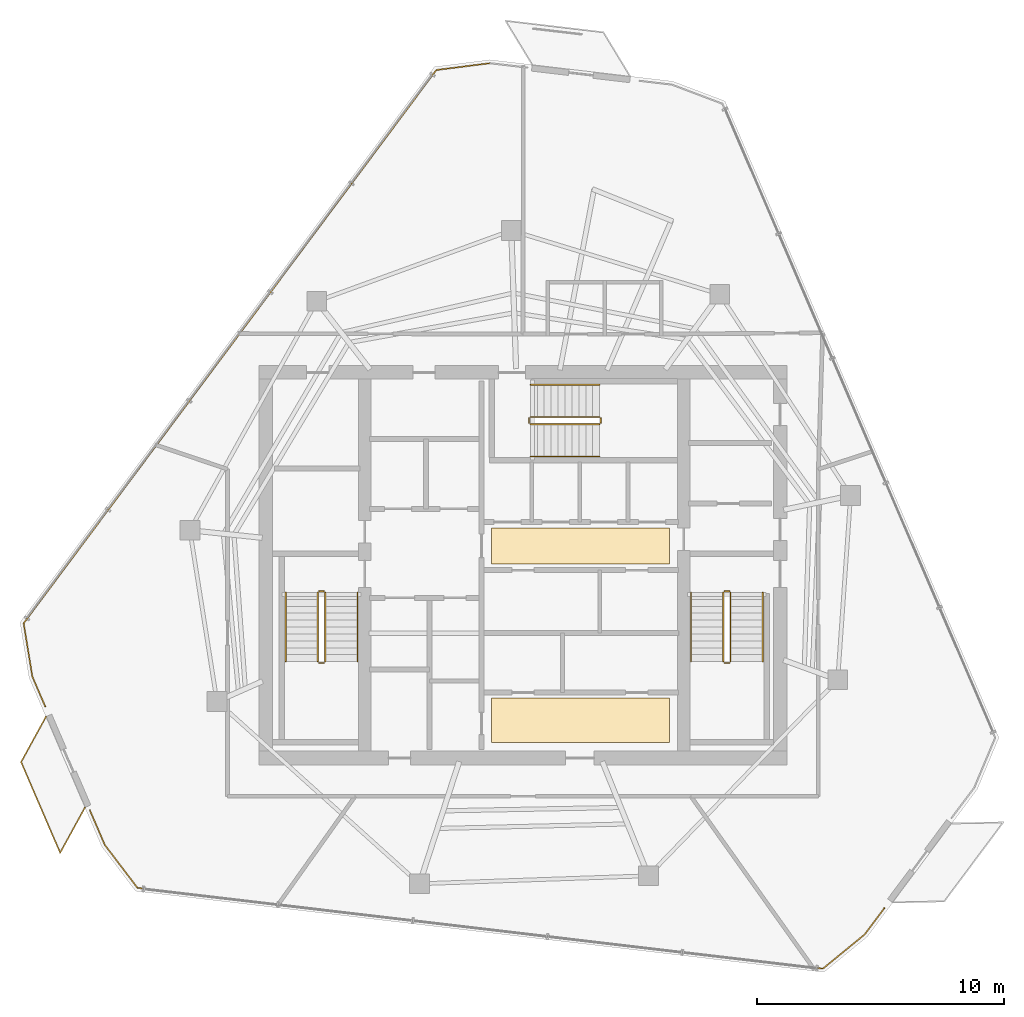
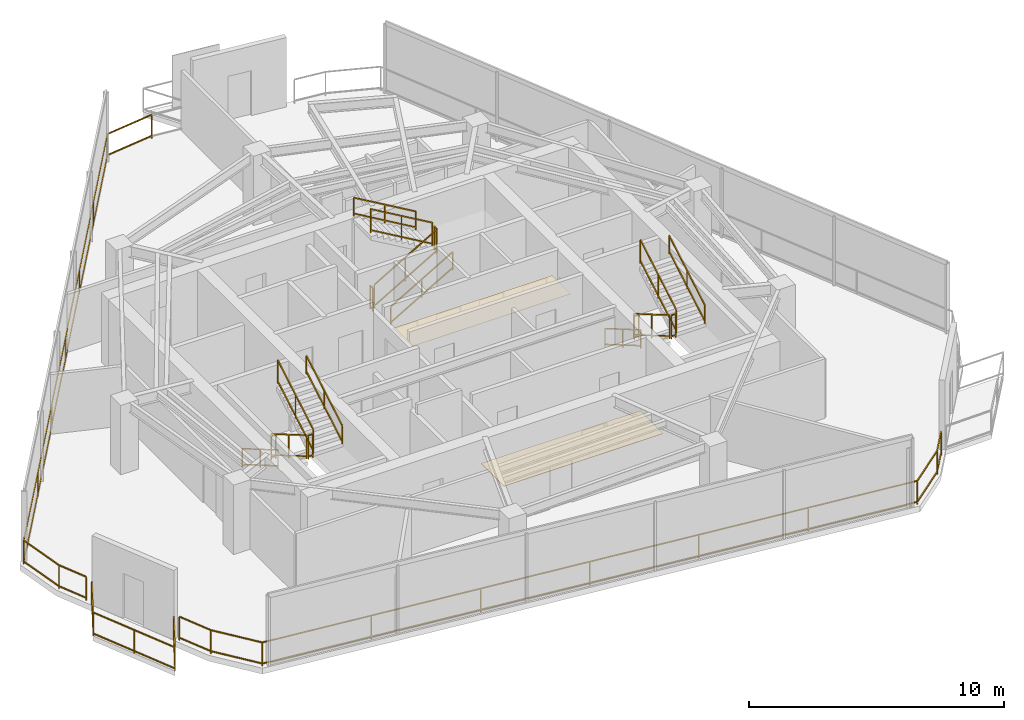
# One storey, part 17 of 18: 21 railings, 2 coverings.
"""IFC4 building model written with IfcOpenShell, lengths in metres."""

import ifcopenshell
import ifcopenshell.guid

model = None  # the IFC model being written
_history = None  # IfcOwnerHistory: only IFC2X3 demands one
_inside = {}  # id of a spatial element -> (the spatial element, [elements in it])
_under = {}  # id of a project, library or spatial element -> (it, [spatial elements below it])
_declared = {}  # id of a project -> (the project, [libraries it declares])
_typed = {}  # id of a type object -> (the type object, [elements of that type])
_made_of = {}  # id of a material, layer set ... -> (it, [elements and type objects made of it])


def new_model(schema):
    """Start an empty IFC model of exactly this schema.

    Asked for "IFC4X3", IfcOpenShell would pick the latest addendum, in which some entities
    have other attributes; the version numbers below select the first issue.
    IFC2X3 requires an IfcOwnerHistory on every rooted entity: one is made here for all.
    """
    global model, _history
    if schema == "IFC4X3":
        model = ifcopenshell.file(schema_version=(4, 3, 0, 0))
    else:
        model = ifcopenshell.file(schema=schema)
    _inside.clear()
    _under.clear()
    _declared.clear()
    _typed.clear()
    _made_of.clear()
    _history = None
    if model.schema == "IFC2X3":
        org = make("IfcOrganization", Name="unknown")
        user = make(
            "IfcPersonAndOrganization",
            ThePerson=make("IfcPerson", FamilyName="unknown"),
            TheOrganization=org,
        )
        app = make(
            "IfcApplication",
            ApplicationDeveloper=org,
            Version="unknown",
            ApplicationFullName="unknown",
            ApplicationIdentifier="unknown",
        )
        _history = make(
            "IfcOwnerHistory",
            OwningUser=user,
            OwningApplication=app,
            ChangeAction="ADDED",
            CreationDate=0,
        )
    return model


def make(cls, **values):
    """One entity of the class cls with the attributes given. An attribute that is None is left unset."""
    return model.create_entity(
        cls, **{name: value for name, value in values.items() if value is not None}
    )


def rooted(cls, **values):
    """An entity with a GlobalId (a new one), such as an element, a storey or a relation."""
    return make(cls, GlobalId=ifcopenshell.guid.new(), OwnerHistory=_history, **values)


def si_unit(unit_type, name, prefix=None):
    """IfcSIUnit, for example si_unit("LENGTHUNIT", "METRE", prefix="MILLI")."""
    return make("IfcSIUnit", UnitType=unit_type, Prefix=prefix, Name=name)


def assignment(units):
    """IfcUnitAssignment: the units of a project."""
    return None if units is None else make("IfcUnitAssignment", Units=units)


def point(xyz):
    """IfcCartesianPoint."""
    return None if xyz is None else make("IfcCartesianPoint", Coordinates=xyz)


def direction(xyz):
    """IfcDirection."""
    return None if xyz is None else make("IfcDirection", DirectionRatios=xyz)


def frame(location, z_axis=None, x_axis=None):
    """IfcAxis2Placement3D, a coordinate frame: its origin and axes. An axis left out is left unset."""
    return make(
        "IfcAxis2Placement3D",
        Location=point(location),
        Axis=direction(z_axis),
        RefDirection=direction(x_axis),
    )


def frame_2d(location, x_axis=None):
    """IfcAxis2Placement2D, a coordinate frame in the plane: its origin and x axis."""
    return make(
        "IfcAxis2Placement2D", Location=point(location), RefDirection=direction(x_axis)
    )


def origin():
    """The frame at (0, 0, 0) with its axes left unset."""
    return frame((0.0, 0.0, 0.0))


def origin_2d():
    """The frame at (0, 0) in the plane with its x axis left unset."""
    return frame_2d((0.0, 0.0))


def place(relative_to, where):
    """IfcLocalPlacement: puts the frame where relative to a parent placement (None: the world)."""
    return make(
        "IfcLocalPlacement", PlacementRelTo=relative_to, RelativePlacement=where
    )


def context(
    kind, dimensions, precision=None, world=None, true_north=None, identifier=None
):
    """IfcGeometricRepresentationContext, for example the 3D "Model" context."""
    return make(
        "IfcGeometricRepresentationContext",
        ContextIdentifier=identifier,
        ContextType=kind,
        CoordinateSpaceDimension=dimensions,
        Precision=precision,
        WorldCoordinateSystem=world,
        TrueNorth=true_north,
    )


def subcontext(parent, identifier, kind, view, scale=None):
    """IfcGeometricRepresentationSubContext, for example "Body" below "Model"."""
    return make(
        "IfcGeometricRepresentationSubContext",
        ContextIdentifier=identifier,
        ContextType=kind,
        ParentContext=parent,
        TargetScale=scale,
        TargetView=view,
    )


def project(units=None, contexts=None):
    """IfcProject with its units and contexts."""
    return rooted(
        "IfcProject",
        Name="project",
        RepresentationContexts=contexts,
        UnitsInContext=assignment(units),
    )


def spatial(cls, under=None, at=None, **own):
    """A site, building, storey or space (cls), placed at a placement, below another one or the project."""
    s = rooted(cls, ObjectPlacement=at, **own)
    if under is not None:
        _under.setdefault(under.id(), (under, []))[1].append(s)
    return s


def profile(cls, at=None, kind="AREA", **sizes):
    """A parametric profile (cls). Its sizes go by their IFC names, for example OverallWidth=200.0."""
    return make(cls, ProfileType=kind, Position=at, **sizes)


def rectangle(**sizes):
    """IfcRectangleProfileDef."""
    return profile("IfcRectangleProfileDef", **sizes)


def extrude(swept, where, along, depth):
    """IfcExtrudedAreaSolid: the profile swept, set in the frame where, extruded along a direction by depth."""
    return make(
        "IfcExtrudedAreaSolid",
        SweptArea=swept,
        Position=where,
        ExtrudedDirection=direction(along),
        Depth=depth,
    )


def shape(context_of_items, identifier, shape_type, items):
    """IfcShapeRepresentation: the items that make up one representation, for example the "Body"."""
    return make(
        "IfcShapeRepresentation",
        ContextOfItems=context_of_items,
        RepresentationIdentifier=identifier,
        RepresentationType=shape_type,
        Items=items,
    )


def material(Name=None, Category=None):
    """IfcMaterial."""
    return make("IfcMaterial", Name=Name, Category=Category)


def layer(
    of_material, thickness, ventilated=None, Name=None, Category=None, Priority=None
):
    """IfcMaterialLayer: one layer of a wall or slab, of a material (None: an air gap)."""
    return make(
        "IfcMaterialLayer",
        Material=of_material,
        LayerThickness=thickness,
        IsVentilated=ventilated,
        Name=Name,
        Category=Category,
        Priority=Priority,
    )


def layer_set(layers, Name=None):
    """IfcMaterialLayerSet."""
    return make("IfcMaterialLayerSet", MaterialLayers=layers, LayerSetName=Name)


def made_of(thing, what):
    """Note that an element or type object is made of a material, layer set ...; save() writes the relation."""
    if what is not None:
        _made_of.setdefault(what.id(), (what, []))[1].append(thing)
    return thing


def type_object(cls, material=None, **own):
    """A type object (cls), such as IfcWallType, which elements share."""
    return made_of(rooted(cls, **own), material)


def element(
    cls,
    number,
    at=None,
    inside=None,
    cuts=None,
    type_object=None,
    material=None,
    context=None,
    identifier="Body",
    shape_type=None,
    held_by="IfcProductDefinitionShape",
    body=None,
    shapes=None,
    **own,
):
    """One element of the class cls, such as IfcWall. Its Tag is "e" and its number.

    at: its placement. inside: the storey or other place that contains it. cuts: it is an
    opening in that element (IfcRelVoidsElement). A single representation is given by context,
    identifier, shape_type and body (its items); several are given by shapes. held_by: the class
    of the entity that holds the representations. save() writes the other relations.
    """
    e = rooted(cls, Tag="e%d" % number, ObjectPlacement=at, **own)
    if body is not None:
        shapes = [shape(context, identifier, shape_type, body)]
    if shapes is not None:
        e.Representation = make(held_by, Representations=shapes)
    if inside is not None:
        _inside.setdefault(inside.id(), (inside, []))[1].append(e)
    if cuts is not None:
        rooted(
            "IfcRelVoidsElement", RelatingBuildingElement=cuts, RelatedOpeningElement=e
        )
    if type_object is not None:
        _typed.setdefault(type_object.id(), (type_object, []))[1].append(e)
    return made_of(e, material)


def aggregate(whole, parts):
    """IfcRelAggregates: a whole, such as a stair, and the parts it consists of."""
    return rooted("IfcRelAggregates", RelatingObject=whole, RelatedObjects=parts)


def save(model, path):
    """Write the relations noted so far, then the file.

    IfcRelAggregates (storeys below a building ...), IfcRelContainedInSpatialStructure (elements
    in a storey), IfcRelDefinesByType, IfcRelAssociatesMaterial and IfcRelDeclares: one each for
    every whole, place, type object, material and project.
    """
    for whole, parts in _under.values():
        aggregate(whole, parts)
    for where, things in _inside.values():
        rooted(
            "IfcRelContainedInSpatialStructure",
            RelatedElements=things,
            RelatingStructure=where,
        )
    for kind, things in _typed.values():
        rooted("IfcRelDefinesByType", RelatedObjects=things, RelatingType=kind)
    for what, things in _made_of.values():
        rooted("IfcRelAssociatesMaterial", RelatedObjects=things, RelatingMaterial=what)
    for by, libraries in _declared.values():
        rooted("IfcRelDeclares", RelatingContext=by, RelatedDefinitions=libraries)
    model.write(path)


model = new_model("IFC4")

# Units and contexts
model_context = context("Model", 3, precision=1e-05, world=origin(), true_north=direction((0.0, 1.0)))
body_context = subcontext(model_context, "Body", "Model", "MODEL_VIEW")
ifc_project = project(units=[si_unit("LENGTHUNIT", "METRE"), si_unit("AREAUNIT", "SQUARE_METRE"), si_unit("VOLUMEUNIT", "CUBIC_METRE"), si_unit("PLANEANGLEUNIT", "RADIAN"), si_unit("MASSUNIT", "GRAM", prefix="KILO")], contexts=[model_context])

# Site, building, storey
site_placement = place(None, origin())
site = spatial("IfcSite", under=ifc_project, at=site_placement, CompositionType="ELEMENT")
building_placement = place(site_placement, origin())
building = spatial("IfcBuilding", under=site, at=building_placement, Name="Qarnah Convention Tower", CompositionType="ELEMENT")
storey_placement = place(building_placement, frame((0.0, 0.0, 267.89990234375)))
storey = spatial("IfcBuildingStorey", under=building, at=storey_placement, Name="L72", CompositionType="ELEMENT", Elevation=267.89990234375)

# Coverings
ifc_material_1 = material(Name="Mineral fibre acoustic ceiling")
ifc_layer_1 = layer(ifc_material_1, 0.02001953125)
ifc_layer_set_1 = layer_set([ifc_layer_1], Name="Mineral fibre acoustic ceiling")
covering_type_1 = type_object("IfcCoveringType", Name="COV-CEIL-20", PredefinedType="CEILING", material=ifc_layer_set_1)
covering_1_placement = place(storey_placement, frame((39.52001953125, 27.179931640625, 2.2900390625), z_axis=(0.0, 0.0, 1.0), x_axis=(1.0, 0.0, 0.0)))
element("IfcCovering", 1, at=covering_1_placement, inside=storey, type_object=covering_type_1, Name="L72 lift lobby acoustic ceiling", PredefinedType="CEILING", context=body_context, shape_type="SweptSolid", body=[
    extrude(rectangle(XDim=7.199951171875, YDim=1.449951171875, at=origin_2d()), origin(), (0.0, 0.0, 1.0), 0.02001953125),
])
ifc_material_2 = material(Name="Porcelain stone floor tile", Category="masonry")
ifc_layer_2 = layer(ifc_material_2, 0.02001953125)
ifc_layer_set_2 = layer_set([ifc_layer_2], Name="Porcelain stone floor tile")
covering_type_2 = type_object("IfcCoveringType", Name="COV-FLOOR-20", PredefinedType="FLOORING", material=ifc_layer_set_2)
covering_2_placement = place(storey_placement, frame((39.52001953125, 20.1201171875, 0.0), z_axis=(0.0, 0.0, 1.0), x_axis=(1.0, 0.0, 0.0)))
element("IfcCovering", 2, at=covering_2_placement, inside=storey, type_object=covering_type_2, Name="L72 lift lobby porcelain stone flooring", PredefinedType="FLOORING", context=body_context, shape_type="SweptSolid", body=[
    extrude(rectangle(XDim=7.199951171875, YDim=1.800048828125, at=origin_2d()), origin(), (0.0, 0.0, 1.0), 0.02001953125),
])

# Railings
ifc_material_3 = material(Name="Black anodised aluminium", Category="aluminium")
railing_type_1 = type_object("IfcRailingType", Name="RL-EXT-GUARD-1150", PredefinedType="GUARDRAIL", material=ifc_material_3)
railing_1_placement = place(storey_placement, frame((51.81494140625, 12.52197265625, 0.0)))
element("IfcRailing", 3, at=railing_1_placement, inside=storey, type_object=railing_type_1, Name="L72 slab-edge perimeter safety guard 03", PredefinedType="GUARDRAIL", context=body_context, shape_type="SweptSolid", body=[
    extrude(rectangle(XDim=0.048095703125, YDim=0.048095703125, at=origin_2d()), frame((0.0, 0.0, 1.1259765625), z_axis=(-0.597928524165, -0.801549424546, 0.0), x_axis=(0.801549424546, -0.597928524165, 0.0)), (0.0, 0.0, 1.0), 1.3212890625),
    extrude(rectangle(XDim=0.048095703125, YDim=0.048095703125, at=origin_2d()), frame((0.0, 0.0, 0.1201171875), z_axis=(-0.597928524165, -0.801549424546, 0.0), x_axis=(0.801549424546, -0.597928524165, 0.0)), (0.0, 0.0, 1.0), 1.3212890625),
    extrude(rectangle(XDim=0.048095703125, YDim=0.048095703125, at=origin_2d()), frame((-0.7900390625, -1.05908203125, 1.1259765625), z_axis=(-0.774106670826, -0.633055180993, 0.0), x_axis=(0.633055180993, -0.774106670826, 0.0)), (0.0, 0.0, 1.0), 2.184326171875),
    extrude(rectangle(XDim=0.048095703125, YDim=0.048095703125, at=origin_2d()), frame((-0.7900390625, -1.05908203125, 0.1201171875), z_axis=(-0.774106670826, -0.633055180993, 0.0), x_axis=(0.633055180993, -0.774106670826, 0.0)), (0.0, 0.0, 1.0), 2.184326171875),
    extrude(rectangle(XDim=0.048095703125, YDim=0.048095703125, at=origin_2d()), frame((-2.48095703125, -2.44189453125, 1.1259765625), z_axis=(-0.993131910456, 0.117000036043, 0.0), x_axis=(-0.117000036043, -0.993131910456, 0.0)), (0.0, 0.0, 1.0), 27.921630859375),
    extrude(rectangle(XDim=0.048095703125, YDim=0.048095703125, at=origin_2d()), frame((-2.48095703125, -2.44189453125, 0.1201171875), z_axis=(-0.993131910456, 0.117000036043, 0.0), x_axis=(-0.117000036043, -0.993131910456, 0.0)), (0.0, 0.0, 1.0), 27.921630859375),
    extrude(rectangle(XDim=0.048095703125, YDim=0.048095703125, at=origin_2d()), frame((-30.2109375, 0.824951171875, 1.1259765625), z_axis=(-0.605406376853, 0.795916527574, 0.0), x_axis=(-0.795916527574, -0.605406376853, 0.0)), (0.0, 0.0, 1.0), 2.18359375),
    extrude(rectangle(XDim=0.048095703125, YDim=0.048095703125, at=origin_2d()), frame((-30.2109375, 0.824951171875, 0.1201171875), z_axis=(-0.605406376853, 0.795916527574, 0.0), x_axis=(-0.795916527574, -0.605406376853, 0.0)), (0.0, 0.0, 1.0), 2.18359375),
    extrude(rectangle(XDim=0.048095703125, YDim=0.048095703125, at=origin_2d()), frame((-31.532958984375, 2.56298828125, 1.1259765625), z_axis=(-0.395090890718, 0.918642034784, 0.0), x_axis=(-0.918642034784, -0.395090890718, 0.0)), (0.0, 0.0, 1.0), 1.53369140625),
    extrude(rectangle(XDim=0.048095703125, YDim=0.048095703125, at=origin_2d()), frame((-31.532958984375, 2.56298828125, 0.1201171875), z_axis=(-0.395090890718, 0.918642034784, 0.0), x_axis=(-0.918642034784, -0.395090890718, 0.0)), (0.0, 0.0, 1.0), 1.53369140625),
    extrude(rectangle(XDim=0.0419921875, YDim=0.0419921875, at=origin_2d()), origin(), (0.0, 0.0, 1.0), 1.101806640625),
    extrude(rectangle(XDim=0.0419921875, YDim=0.0419921875, at=origin_2d()), frame((-0.7900390625, -1.05908203125, 0.0)), (0.0, 0.0, 1.0), 1.101806640625),
    extrude(rectangle(XDim=0.0419921875, YDim=0.0419921875, at=origin_2d()), frame((-2.48095703125, -2.44189453125, 0.0)), (0.0, 0.0, 1.0), 1.101806640625),
    extrude(rectangle(XDim=0.0419921875, YDim=0.0419921875, at=origin_2d()), frame((-7.1025390625, -1.8974609375, 0.0)), (0.0, 0.0, 1.0), 1.101806640625),
    extrude(rectangle(XDim=0.0419921875, YDim=0.0419921875, at=origin_2d()), frame((-11.724365234375, -1.35302734375, 0.0)), (0.0, 0.0, 1.0), 1.101806640625),
    extrude(rectangle(XDim=0.0419921875, YDim=0.0419921875, at=origin_2d()), frame((-16.345947265625, -0.80859375, 0.0)), (0.0, 0.0, 1.0), 1.101806640625),
    extrude(rectangle(XDim=0.0419921875, YDim=0.0419921875, at=origin_2d()), frame((-20.967529296875, -0.263916015625, 0.0)), (0.0, 0.0, 1.0), 1.101806640625),
    extrude(rectangle(XDim=0.0419921875, YDim=0.0419921875, at=origin_2d()), frame((-25.58935546875, 0.280517578125, 0.0)), (0.0, 0.0, 1.0), 1.101806640625),
    extrude(rectangle(XDim=0.0419921875, YDim=0.0419921875, at=origin_2d()), frame((-30.2109375, 0.824951171875, 0.0)), (0.0, 0.0, 1.0), 1.101806640625),
    extrude(rectangle(XDim=0.0419921875, YDim=0.0419921875, at=origin_2d()), frame((-31.532958984375, 2.56298828125, 0.0)), (0.0, 0.0, 1.0), 1.101806640625),
    extrude(rectangle(XDim=0.0419921875, YDim=0.0419921875, at=origin_2d()), frame((-32.138916015625, 3.971923828125, 0.0)), (0.0, 0.0, 1.0), 1.101806640625),
])
railing_2_placement = place(storey_placement, frame((17.8740234375, 20.680908203125, 0.0)))
element("IfcRailing", 4, at=railing_2_placement, inside=storey, type_object=railing_type_1, Name="L72 slab-edge perimeter safety guard 04", PredefinedType="GUARDRAIL", context=body_context, shape_type="SweptSolid", body=[
    extrude(rectangle(XDim=0.048095703125, YDim=0.048095703125, at=origin_2d()), frame((0.0, 0.0, 1.1259765625), z_axis=(-0.395322112713, 0.918542556009, 0.0), x_axis=(-0.918542556009, -0.395322112713, 0.0)), (0.0, 0.0, 1.0), 1.32275390625),
    extrude(rectangle(XDim=0.048095703125, YDim=0.048095703125, at=origin_2d()), frame((0.0, 0.0, 0.1201171875), z_axis=(-0.395322112713, 0.918542556009, 0.0), x_axis=(-0.918542556009, -0.395322112713, 0.0)), (0.0, 0.0, 1.0), 1.32275390625),
    extrude(rectangle(XDim=0.048095703125, YDim=0.048095703125, at=origin_2d()), frame((-0.52294921875, 1.215087890625, 1.1259765625), z_axis=(-0.160789595489, 0.986988706107, 0.0), x_axis=(-0.986988706107, -0.160789595489, 0.0)), (0.0, 0.0, 1.0), 2.183349609375),
    extrude(rectangle(XDim=0.048095703125, YDim=0.048095703125, at=origin_2d()), frame((-0.52294921875, 1.215087890625, 0.1201171875), z_axis=(-0.160789595489, 0.986988706107, 0.0), x_axis=(-0.986988706107, -0.160789595489, 0.0)), (0.0, 0.0, 1.0), 2.183349609375),
    extrude(rectangle(XDim=0.048095703125, YDim=0.048095703125, at=origin_2d()), frame((-0.8740234375, 3.3701171875, 1.1259765625), z_axis=(0.597878446334, 0.801586778464, 0.0), x_axis=(-0.801586778464, 0.597878446334, 0.0)), (0.0, 0.0, 1.0), 27.922119140625),
    extrude(rectangle(XDim=0.048095703125, YDim=0.048095703125, at=origin_2d()), frame((-0.8740234375, 3.3701171875, 0.1201171875), z_axis=(0.597878446334, 0.801586778464, 0.0), x_axis=(-0.801586778464, 0.597878446334, 0.0)), (0.0, 0.0, 1.0), 27.922119140625),
    extrude(rectangle(XDim=0.048095703125, YDim=0.048095703125, at=origin_2d()), frame((15.820068359375, 25.752197265625, 1.1259765625), z_axis=(0.991993330093, 0.126290272984, 0.0), x_axis=(-0.126290272984, 0.991993330093, 0.0)), (0.0, 0.0, 1.0), 2.1845703125),
    extrude(rectangle(XDim=0.048095703125, YDim=0.048095703125, at=origin_2d()), frame((15.820068359375, 25.752197265625, 0.1201171875), z_axis=(0.991993330093, 0.126290272984, 0.0), x_axis=(-0.126290272984, 0.991993330093, 0.0)), (0.0, 0.0, 1.0), 2.1845703125),
    extrude(rectangle(XDim=0.0419921875, YDim=0.0419921875, at=origin_2d()), origin(), (0.0, 0.0, 1.0), 1.101806640625),
    extrude(rectangle(XDim=0.0419921875, YDim=0.0419921875, at=origin_2d()), frame((-0.52294921875, 1.215087890625, 0.0)), (0.0, 0.0, 1.0), 1.101806640625),
    extrude(rectangle(XDim=0.0419921875, YDim=0.0419921875, at=origin_2d()), frame((-0.8740234375, 3.3701171875, 0.0)), (0.0, 0.0, 1.0), 1.101806640625),
    extrude(rectangle(XDim=0.0419921875, YDim=0.0419921875, at=origin_2d()), frame((1.908203125, 7.1005859375, 0.0)), (0.0, 0.0, 1.0), 1.101806640625),
    extrude(rectangle(XDim=0.0419921875, YDim=0.0419921875, at=origin_2d()), frame((4.690673828125, 10.830810546875, 0.0)), (0.0, 0.0, 1.0), 1.101806640625),
    extrude(rectangle(XDim=0.0419921875, YDim=0.0419921875, at=origin_2d()), frame((7.47314453125, 14.56103515625, 0.0)), (0.0, 0.0, 1.0), 1.101806640625),
    extrude(rectangle(XDim=0.0419921875, YDim=0.0419921875, at=origin_2d()), frame((10.25537109375, 18.29150390625, 0.0)), (0.0, 0.0, 1.0), 1.101806640625),
    extrude(rectangle(XDim=0.0419921875, YDim=0.0419921875, at=origin_2d()), frame((13.03759765625, 22.02197265625, 0.0)), (0.0, 0.0, 1.0), 1.101806640625),
    extrude(rectangle(XDim=0.0419921875, YDim=0.0419921875, at=origin_2d()), frame((15.820068359375, 25.752197265625, 0.0)), (0.0, 0.0, 1.0), 1.101806640625),
    extrude(rectangle(XDim=0.0419921875, YDim=0.0419921875, at=origin_2d()), frame((17.987060546875, 26.028076171875, 0.0)), (0.0, 0.0, 1.0), 1.101806640625),
])
railing_3_placement = place(storey_placement, frame((19.48291015625, 16.60009765625, 0.0)))
element("IfcRailing", 5, at=railing_3_placement, inside=storey, type_object=railing_type_1, Name="L72 balcony safety guard BAL-L72-C2", PredefinedType="GUARDRAIL", context=body_context, shape_type="SweptSolid", body=[
    extrude(rectangle(XDim=0.048095703125, YDim=0.048095703125, at=origin_2d()), frame((0.0, 0.0, 1.1259765625), z_axis=(-0.480436365373, -0.877029588342, 0.0), x_axis=(0.877029588342, -0.480436365373, 0.0)), (0.0, 0.0, 1.0), 2.09375),
    extrude(rectangle(XDim=0.048095703125, YDim=0.048095703125, at=origin_2d()), frame((0.0, 0.0, 0.1201171875), z_axis=(-0.480436365373, -0.877029588342, 0.0), x_axis=(0.877029588342, -0.480436365373, 0.0)), (0.0, 0.0, 1.0), 2.09375),
    extrude(rectangle(XDim=0.048095703125, YDim=0.048095703125, at=origin_2d()), frame((-1.005859375, -1.836181640625, 1.1259765625), z_axis=(-0.395281695428, 0.918559949736, 0.0), x_axis=(-0.918559949736, -0.395281695428, 0.0)), (0.0, 0.0, 1.0), 3.999755859375),
    extrude(rectangle(XDim=0.048095703125, YDim=0.048095703125, at=origin_2d()), frame((-1.005859375, -1.836181640625, 0.1201171875), z_axis=(-0.395281695428, 0.918559949736, 0.0), x_axis=(-0.918559949736, -0.395281695428, 0.0)), (0.0, 0.0, 1.0), 3.999755859375),
    extrude(rectangle(XDim=0.048095703125, YDim=0.048095703125, at=origin_2d()), frame((-2.5869140625, 1.837890625, 1.1259765625), z_axis=(0.4805751953, 0.876953523091, 0.0), x_axis=(-0.876953523091, 0.4805751953, 0.0)), (0.0, 0.0, 1.0), 2.093505859375),
    extrude(rectangle(XDim=0.048095703125, YDim=0.048095703125, at=origin_2d()), frame((-2.5869140625, 1.837890625, 0.1201171875), z_axis=(0.4805751953, 0.876953523091, 0.0), x_axis=(-0.876953523091, 0.4805751953, 0.0)), (0.0, 0.0, 1.0), 2.093505859375),
    extrude(rectangle(XDim=0.0419921875, YDim=0.0419921875, at=origin_2d()), origin(), (0.0, 0.0, 1.0), 1.101806640625),
    extrude(rectangle(XDim=0.0419921875, YDim=0.0419921875, at=origin_2d()), frame((-1.005859375, -1.836181640625, 0.0)), (0.0, 0.0, 1.0), 1.101806640625),
    extrude(rectangle(XDim=0.0419921875, YDim=0.0419921875, at=origin_2d()), frame((-1.79638671875, 0.0009765625, 0.0)), (0.0, 0.0, 1.0), 1.101806640625),
    extrude(rectangle(XDim=0.0419921875, YDim=0.0419921875, at=origin_2d()), frame((-2.5869140625, 1.837890625, 0.0)), (0.0, 0.0, 1.0), 1.101806640625),
    extrude(rectangle(XDim=0.0419921875, YDim=0.0419921875, at=origin_2d()), frame((-1.580810546875, 3.673828125, 0.0)), (0.0, 0.0, 1.0), 1.101806640625),
])
ifc_material_4 = material(Name="Structural steel S355JR", Category="steel")
railing_type_2 = type_object("IfcRailingType", Name="RL-STAIR-GUARD-1150", PredefinedType="GUARDRAIL", material=ifc_material_4)
railing_4_placement = place(storey_placement, frame((28.89990234375, 25.300048828125, 0.163818359375)))
element("IfcRailing", 6, at=railing_4_placement, inside=storey, type_object=railing_type_2, Name="L72 ST-1 stair guard 1", PredefinedType="GUARDRAIL", context=body_context, shape_type="SweptSolid", body=[
    extrude(rectangle(XDim=0.048095703125, YDim=0.048095703125, at=origin_2d()), frame((0.0, 0.0, 1.1259765625), z_axis=(0.0, -0.863393664356, 0.504530851732), x_axis=(1.0, 0.0, 0.0)), (0.0, 0.0, 1.0), 3.2431640625),
    extrude(rectangle(XDim=0.048095703125, YDim=0.048095703125, at=origin_2d()), frame((0.0, 0.0, 0.1201171875), z_axis=(0.0, -0.863393664356, 0.504530851732), x_axis=(1.0, 0.0, 0.0)), (0.0, 0.0, 1.0), 3.2431640625),
    extrude(rectangle(XDim=0.0419921875, YDim=0.0419921875, at=origin_2d()), origin(), (0.0, 0.0, 1.0), 1.101806640625),
    extrude(rectangle(XDim=0.0419921875, YDim=0.0419921875, at=origin_2d()), frame((0.0, -1.39990234375, 0.818115234375)), (0.0, 0.0, 1.0), 1.101806640625),
    extrude(rectangle(XDim=0.0419921875, YDim=0.0419921875, at=origin_2d()), frame((0.0, -2.800048828125, 1.63623046875)), (0.0, 0.0, 1.0), 1.101806640625),
])
railing_5_placement = place(storey_placement, frame((28.949951171875, 22.449951171875, 1.800048828125)))
element("IfcRailing", 7, at=railing_5_placement, inside=storey, type_object=railing_type_2, Name="L72 ST-1 stair guard 2", PredefinedType="GUARDRAIL", context=body_context, shape_type="SweptSolid", body=[
    extrude(rectangle(XDim=0.048095703125, YDim=0.048095703125, at=origin_2d()), frame((0.0, 0.0, 1.1259765625), z_axis=(1.0, 0.0, 0.0), x_axis=(0.0, 1.0, 0.0)), (0.0, 0.0, 1.0), 0.199951171875),
    extrude(rectangle(XDim=0.048095703125, YDim=0.048095703125, at=origin_2d()), frame((0.0, 0.0, 0.1201171875), z_axis=(1.0, 0.0, 0.0), x_axis=(0.0, 1.0, 0.0)), (0.0, 0.0, 1.0), 0.199951171875),
    extrude(rectangle(XDim=0.0419921875, YDim=0.0419921875, at=origin_2d()), origin(), (0.0, 0.0, 1.0), 1.101806640625),
    extrude(rectangle(XDim=0.0419921875, YDim=0.0419921875, at=origin_2d()), frame((0.199951171875, 0.0, 0.0)), (0.0, 0.0, 1.0), 1.101806640625),
])
railing_6_placement = place(storey_placement, frame((29.199951171875, 22.5, 1.963623046875)))
element("IfcRailing", 8, at=railing_6_placement, inside=storey, type_object=railing_type_2, Name="L72 ST-1 stair guard 3", PredefinedType="GUARDRAIL", context=body_context, shape_type="SweptSolid", body=[
    extrude(rectangle(XDim=0.048095703125, YDim=0.048095703125, at=origin_2d()), frame((0.0, 0.0, 1.1259765625), z_axis=(0.0, 0.863360870873, 0.504586966384), x_axis=(-1.0, 0.0, 0.0)), (0.0, 0.0, 1.0), 3.2431640625),
    extrude(rectangle(XDim=0.048095703125, YDim=0.048095703125, at=origin_2d()), frame((0.0, 0.0, 0.1201171875), z_axis=(0.0, 0.863360870873, 0.504586966384), x_axis=(-1.0, 0.0, 0.0)), (0.0, 0.0, 1.0), 3.2431640625),
    extrude(rectangle(XDim=0.0419921875, YDim=0.0419921875, at=origin_2d()), origin(), (0.0, 0.0, 1.0), 1.101806640625),
    extrude(rectangle(XDim=0.0419921875, YDim=0.0419921875, at=origin_2d()), frame((0.0, 1.39990234375, 0.818359375)), (0.0, 0.0, 1.0), 1.101806640625),
    extrude(rectangle(XDim=0.0419921875, YDim=0.0419921875, at=origin_2d()), frame((0.0, 2.800048828125, 1.636474609375)), (0.0, 0.0, 1.0), 1.101806640625),
])
railing_7_placement = place(storey_placement, frame((28.949951171875, 25.35009765625, 0.0)))
element("IfcRailing", 9, at=railing_7_placement, inside=storey, type_object=railing_type_2, Name="L72 ST-1 stair guard 4", PredefinedType="GUARDRAIL", context=body_context, shape_type="SweptSolid", body=[
    extrude(rectangle(XDim=0.048095703125, YDim=0.048095703125, at=origin_2d()), frame((0.0, 0.0, 1.1259765625), z_axis=(1.0, 0.0, 0.0), x_axis=(0.0, 1.0, 0.0)), (0.0, 0.0, 1.0), 0.199951171875),
    extrude(rectangle(XDim=0.048095703125, YDim=0.048095703125, at=origin_2d()), frame((0.0, 0.0, 0.1201171875), z_axis=(1.0, 0.0, 0.0), x_axis=(0.0, 1.0, 0.0)), (0.0, 0.0, 1.0), 0.199951171875),
    extrude(rectangle(XDim=0.0419921875, YDim=0.0419921875, at=origin_2d()), origin(), (0.0, 0.0, 1.0), 1.101806640625),
    extrude(rectangle(XDim=0.0419921875, YDim=0.0419921875, at=origin_2d()), frame((0.199951171875, 0.0, 0.0)), (0.0, 0.0, 1.0), 1.101806640625),
])
railing_8_placement = place(storey_placement, frame((45.300048828125, 25.300048828125, 0.163818359375)))
element("IfcRailing", 10, at=railing_8_placement, inside=storey, type_object=railing_type_2, Name="L72 ST-2 stair guard 1", PredefinedType="GUARDRAIL", context=body_context, shape_type="SweptSolid", body=[
    extrude(rectangle(XDim=0.048095703125, YDim=0.048095703125, at=origin_2d()), frame((0.0, 0.0, 1.1259765625), z_axis=(0.0, -0.863393664356, 0.504530851732), x_axis=(1.0, 0.0, 0.0)), (0.0, 0.0, 1.0), 3.2431640625),
    extrude(rectangle(XDim=0.048095703125, YDim=0.048095703125, at=origin_2d()), frame((0.0, 0.0, 0.1201171875), z_axis=(0.0, -0.863393664356, 0.504530851732), x_axis=(1.0, 0.0, 0.0)), (0.0, 0.0, 1.0), 3.2431640625),
    extrude(rectangle(XDim=0.0419921875, YDim=0.0419921875, at=origin_2d()), origin(), (0.0, 0.0, 1.0), 1.101806640625),
    extrude(rectangle(XDim=0.0419921875, YDim=0.0419921875, at=origin_2d()), frame((0.0, -1.39990234375, 0.818115234375)), (0.0, 0.0, 1.0), 1.101806640625),
    extrude(rectangle(XDim=0.0419921875, YDim=0.0419921875, at=origin_2d()), frame((0.0, -2.800048828125, 1.63623046875)), (0.0, 0.0, 1.0), 1.101806640625),
])
railing_9_placement = place(storey_placement, frame((45.35009765625, 22.449951171875, 1.800048828125)))
element("IfcRailing", 11, at=railing_9_placement, inside=storey, type_object=railing_type_2, Name="L72 ST-2 stair guard 2", PredefinedType="GUARDRAIL", context=body_context, shape_type="SweptSolid", body=[
    extrude(rectangle(XDim=0.048095703125, YDim=0.048095703125, at=origin_2d()), frame((0.0, 0.0, 1.1259765625), z_axis=(1.0, 0.0, 0.0), x_axis=(0.0, 1.0, 0.0)), (0.0, 0.0, 1.0), 0.199951171875),
    extrude(rectangle(XDim=0.048095703125, YDim=0.048095703125, at=origin_2d()), frame((0.0, 0.0, 0.1201171875), z_axis=(1.0, 0.0, 0.0), x_axis=(0.0, 1.0, 0.0)), (0.0, 0.0, 1.0), 0.199951171875),
    extrude(rectangle(XDim=0.0419921875, YDim=0.0419921875, at=origin_2d()), origin(), (0.0, 0.0, 1.0), 1.101806640625),
    extrude(rectangle(XDim=0.0419921875, YDim=0.0419921875, at=origin_2d()), frame((0.199951171875, 0.0, 0.0)), (0.0, 0.0, 1.0), 1.101806640625),
])
railing_10_placement = place(storey_placement, frame((45.60009765625, 22.5, 1.963623046875)))
element("IfcRailing", 12, at=railing_10_placement, inside=storey, type_object=railing_type_2, Name="L72 ST-2 stair guard 3", PredefinedType="GUARDRAIL", context=body_context, shape_type="SweptSolid", body=[
    extrude(rectangle(XDim=0.048095703125, YDim=0.048095703125, at=origin_2d()), frame((0.0, 0.0, 1.1259765625), z_axis=(0.0, 0.863360870873, 0.504586966384), x_axis=(-1.0, 0.0, 0.0)), (0.0, 0.0, 1.0), 3.2431640625),
    extrude(rectangle(XDim=0.048095703125, YDim=0.048095703125, at=origin_2d()), frame((0.0, 0.0, 0.1201171875), z_axis=(0.0, 0.863360870873, 0.504586966384), x_axis=(-1.0, 0.0, 0.0)), (0.0, 0.0, 1.0), 3.2431640625),
    extrude(rectangle(XDim=0.0419921875, YDim=0.0419921875, at=origin_2d()), origin(), (0.0, 0.0, 1.0), 1.101806640625),
    extrude(rectangle(XDim=0.0419921875, YDim=0.0419921875, at=origin_2d()), frame((0.0, 1.39990234375, 0.818359375)), (0.0, 0.0, 1.0), 1.101806640625),
    extrude(rectangle(XDim=0.0419921875, YDim=0.0419921875, at=origin_2d()), frame((0.0, 2.800048828125, 1.636474609375)), (0.0, 0.0, 1.0), 1.101806640625),
])
railing_11_placement = place(storey_placement, frame((45.35009765625, 25.35009765625, 0.0)))
element("IfcRailing", 13, at=railing_11_placement, inside=storey, type_object=railing_type_2, Name="L72 ST-2 stair guard 4", PredefinedType="GUARDRAIL", context=body_context, shape_type="SweptSolid", body=[
    extrude(rectangle(XDim=0.048095703125, YDim=0.048095703125, at=origin_2d()), frame((0.0, 0.0, 1.1259765625), z_axis=(1.0, 0.0, 0.0), x_axis=(0.0, 1.0, 0.0)), (0.0, 0.0, 1.0), 0.199951171875),
    extrude(rectangle(XDim=0.048095703125, YDim=0.048095703125, at=origin_2d()), frame((0.0, 0.0, 0.1201171875), z_axis=(1.0, 0.0, 0.0), x_axis=(0.0, 1.0, 0.0)), (0.0, 0.0, 1.0), 0.199951171875),
    extrude(rectangle(XDim=0.0419921875, YDim=0.0419921875, at=origin_2d()), origin(), (0.0, 0.0, 1.0), 1.101806640625),
    extrude(rectangle(XDim=0.0419921875, YDim=0.0419921875, at=origin_2d()), frame((0.199951171875, 0.0, 0.0)), (0.0, 0.0, 1.0), 1.101806640625),
])
railing_12_placement = place(storey_placement, frame((37.5, 32.10009765625, 0.163818359375)))
element("IfcRailing", 14, at=railing_12_placement, inside=storey, type_object=railing_type_2, Name="L72 ST-3 stair guard 1", PredefinedType="GUARDRAIL", context=body_context, shape_type="SweptSolid", body=[
    extrude(rectangle(XDim=0.048095703125, YDim=0.048095703125, at=origin_2d()), frame((0.0, 0.0, 1.1259765625), z_axis=(0.863393664356, 0.0, 0.504530851732), x_axis=(0.0, 1.0, 0.0)), (0.0, 0.0, 1.0), 3.2431640625),
    extrude(rectangle(XDim=0.048095703125, YDim=0.048095703125, at=origin_2d()), frame((0.0, 0.0, 0.1201171875), z_axis=(0.863393664356, 0.0, 0.504530851732), x_axis=(0.0, 1.0, 0.0)), (0.0, 0.0, 1.0), 3.2431640625),
    extrude(rectangle(XDim=0.0419921875, YDim=0.0419921875, at=origin_2d()), origin(), (0.0, 0.0, 1.0), 1.101806640625),
    extrude(rectangle(XDim=0.0419921875, YDim=0.0419921875, at=origin_2d()), frame((1.39990234375, 0.0, 0.818115234375)), (0.0, 0.0, 1.0), 1.101806640625),
    extrude(rectangle(XDim=0.0419921875, YDim=0.0419921875, at=origin_2d()), frame((2.800048828125, 0.0, 1.63623046875)), (0.0, 0.0, 1.0), 1.101806640625),
])
railing_13_placement = place(storey_placement, frame((40.35009765625, 32.14990234375, 1.800048828125)))
element("IfcRailing", 15, at=railing_13_placement, inside=storey, type_object=railing_type_2, Name="L72 ST-3 stair guard 2", PredefinedType="GUARDRAIL", context=body_context, shape_type="SweptSolid", body=[
    extrude(rectangle(XDim=0.048095703125, YDim=0.048095703125, at=origin_2d()), frame((0.0, 0.0, 1.1259765625), z_axis=(0.0, 1.0, 0.0), x_axis=(-1.0, 0.0, 0.0)), (0.0, 0.0, 1.0), 0.2001953125),
    extrude(rectangle(XDim=0.048095703125, YDim=0.048095703125, at=origin_2d()), frame((0.0, 0.0, 0.1201171875), z_axis=(0.0, 1.0, 0.0), x_axis=(-1.0, 0.0, 0.0)), (0.0, 0.0, 1.0), 0.2001953125),
    extrude(rectangle(XDim=0.0419921875, YDim=0.0419921875, at=origin_2d()), origin(), (0.0, 0.0, 1.0), 1.101806640625),
    extrude(rectangle(XDim=0.0419921875, YDim=0.0419921875, at=origin_2d()), frame((0.0, 0.2001953125, 0.0)), (0.0, 0.0, 1.0), 1.101806640625),
])
railing_14_placement = place(storey_placement, frame((40.300048828125, 32.39990234375, 1.963623046875)))
element("IfcRailing", 16, at=railing_14_placement, inside=storey, type_object=railing_type_2, Name="L72 ST-3 stair guard 3", PredefinedType="GUARDRAIL", context=body_context, shape_type="SweptSolid", body=[
    extrude(rectangle(XDim=0.048095703125, YDim=0.048095703125, at=origin_2d()), frame((0.0, 0.0, 1.1259765625), z_axis=(-0.863360870873, 0.0, 0.504586966384), x_axis=(0.0, -1.0, 0.0)), (0.0, 0.0, 1.0), 3.2431640625),
    extrude(rectangle(XDim=0.048095703125, YDim=0.048095703125, at=origin_2d()), frame((0.0, 0.0, 0.1201171875), z_axis=(-0.863360870873, 0.0, 0.504586966384), x_axis=(0.0, -1.0, 0.0)), (0.0, 0.0, 1.0), 3.2431640625),
    extrude(rectangle(XDim=0.0419921875, YDim=0.0419921875, at=origin_2d()), origin(), (0.0, 0.0, 1.0), 1.101806640625),
    extrude(rectangle(XDim=0.0419921875, YDim=0.0419921875, at=origin_2d()), frame((-1.39990234375, 0.0, 0.818359375)), (0.0, 0.0, 1.0), 1.101806640625),
    extrude(rectangle(XDim=0.0419921875, YDim=0.0419921875, at=origin_2d()), frame((-2.800048828125, 0.0, 1.636474609375)), (0.0, 0.0, 1.0), 1.101806640625),
])
railing_15_placement = place(storey_placement, frame((37.449951171875, 32.14990234375, 0.0)))
element("IfcRailing", 17, at=railing_15_placement, inside=storey, type_object=railing_type_2, Name="L72 ST-3 stair guard 4", PredefinedType="GUARDRAIL", context=body_context, shape_type="SweptSolid", body=[
    extrude(rectangle(XDim=0.048095703125, YDim=0.048095703125, at=origin_2d()), frame((0.0, 0.0, 1.1259765625), z_axis=(0.0, 1.0, 0.0), x_axis=(-1.0, 0.0, 0.0)), (0.0, 0.0, 1.0), 0.2001953125),
    extrude(rectangle(XDim=0.048095703125, YDim=0.048095703125, at=origin_2d()), frame((0.0, 0.0, 0.1201171875), z_axis=(0.0, 1.0, 0.0), x_axis=(-1.0, 0.0, 0.0)), (0.0, 0.0, 1.0), 0.2001953125),
    extrude(rectangle(XDim=0.0419921875, YDim=0.0419921875, at=origin_2d()), origin(), (0.0, 0.0, 1.0), 1.101806640625),
    extrude(rectangle(XDim=0.0419921875, YDim=0.0419921875, at=origin_2d()), frame((0.0, 0.2001953125, 0.0)), (0.0, 0.0, 1.0), 1.101806640625),
])
railing_type_3 = type_object("IfcRailingType", Name="RL-STAIR-HAND-900", PredefinedType="HANDRAIL", material=ifc_material_4)
railing_16_placement = place(storey_placement, frame((27.60009765625, 25.300048828125, 0.163818359375)))
element("IfcRailing", 18, at=railing_16_placement, inside=storey, type_object=railing_type_3, Name="L72 ST-1 stair handrail 1", PredefinedType="HANDRAIL", context=body_context, shape_type="SweptSolid", body=[
    extrude(rectangle(XDim=0.048095703125, YDim=0.048095703125, at=origin_2d()), frame((0.0, 0.0, 0.8759765625), z_axis=(0.0, -0.863393664356, 0.504530851732), x_axis=(1.0, 0.0, 0.0)), (0.0, 0.0, 1.0), 3.2431640625),
    extrude(rectangle(XDim=0.048095703125, YDim=0.048095703125, at=origin_2d()), frame((0.0, 0.0, 0.1201171875), z_axis=(0.0, -0.863393664356, 0.504530851732), x_axis=(1.0, 0.0, 0.0)), (0.0, 0.0, 1.0), 3.2431640625),
    extrude(rectangle(XDim=0.0419921875, YDim=0.0419921875, at=origin_2d()), origin(), (0.0, 0.0, 1.0), 0.851806640625),
    extrude(rectangle(XDim=0.0419921875, YDim=0.0419921875, at=origin_2d()), frame((0.0, -1.39990234375, 0.818115234375)), (0.0, 0.0, 1.0), 0.851806640625),
    extrude(rectangle(XDim=0.0419921875, YDim=0.0419921875, at=origin_2d()), frame((0.0, -2.800048828125, 1.63623046875)), (0.0, 0.0, 1.0), 0.851806640625),
])
railing_17_placement = place(storey_placement, frame((30.5, 22.5, 1.963623046875)))
element("IfcRailing", 19, at=railing_17_placement, inside=storey, type_object=railing_type_3, Name="L72 ST-1 stair handrail 2", PredefinedType="HANDRAIL", context=body_context, shape_type="SweptSolid", body=[
    extrude(rectangle(XDim=0.048095703125, YDim=0.048095703125, at=origin_2d()), frame((0.0, 0.0, 0.8759765625), z_axis=(0.0, 0.863360870873, 0.504586966384), x_axis=(-1.0, 0.0, 0.0)), (0.0, 0.0, 1.0), 3.2431640625),
    extrude(rectangle(XDim=0.048095703125, YDim=0.048095703125, at=origin_2d()), frame((0.0, 0.0, 0.1201171875), z_axis=(0.0, 0.863360870873, 0.504586966384), x_axis=(-1.0, 0.0, 0.0)), (0.0, 0.0, 1.0), 3.2431640625),
    extrude(rectangle(XDim=0.0419921875, YDim=0.0419921875, at=origin_2d()), origin(), (0.0, 0.0, 1.0), 0.851806640625),
    extrude(rectangle(XDim=0.0419921875, YDim=0.0419921875, at=origin_2d()), frame((0.0, 1.39990234375, 0.818359375)), (0.0, 0.0, 1.0), 0.851806640625),
    extrude(rectangle(XDim=0.0419921875, YDim=0.0419921875, at=origin_2d()), frame((0.0, 2.800048828125, 1.636474609375)), (0.0, 0.0, 1.0), 0.851806640625),
])
railing_18_placement = place(storey_placement, frame((44.0, 25.300048828125, 0.163818359375)))
element("IfcRailing", 20, at=railing_18_placement, inside=storey, type_object=railing_type_3, Name="L72 ST-2 stair handrail 1", PredefinedType="HANDRAIL", context=body_context, shape_type="SweptSolid", body=[
    extrude(rectangle(XDim=0.048095703125, YDim=0.048095703125, at=origin_2d()), frame((0.0, 0.0, 0.8759765625), z_axis=(0.0, -0.863393664356, 0.504530851732), x_axis=(1.0, 0.0, 0.0)), (0.0, 0.0, 1.0), 3.2431640625),
    extrude(rectangle(XDim=0.048095703125, YDim=0.048095703125, at=origin_2d()), frame((0.0, 0.0, 0.1201171875), z_axis=(0.0, -0.863393664356, 0.504530851732), x_axis=(1.0, 0.0, 0.0)), (0.0, 0.0, 1.0), 3.2431640625),
    extrude(rectangle(XDim=0.0419921875, YDim=0.0419921875, at=origin_2d()), origin(), (0.0, 0.0, 1.0), 0.851806640625),
    extrude(rectangle(XDim=0.0419921875, YDim=0.0419921875, at=origin_2d()), frame((0.0, -1.39990234375, 0.818115234375)), (0.0, 0.0, 1.0), 0.851806640625),
    extrude(rectangle(XDim=0.0419921875, YDim=0.0419921875, at=origin_2d()), frame((0.0, -2.800048828125, 1.63623046875)), (0.0, 0.0, 1.0), 0.851806640625),
])
railing_19_placement = place(storey_placement, frame((46.89990234375, 22.5, 1.963623046875)))
element("IfcRailing", 21, at=railing_19_placement, inside=storey, type_object=railing_type_3, Name="L72 ST-2 stair handrail 2", PredefinedType="HANDRAIL", context=body_context, shape_type="SweptSolid", body=[
    extrude(rectangle(XDim=0.048095703125, YDim=0.048095703125, at=origin_2d()), frame((0.0, 0.0, 0.8759765625), z_axis=(0.0, 0.863360870873, 0.504586966384), x_axis=(-1.0, 0.0, 0.0)), (0.0, 0.0, 1.0), 3.2431640625),
    extrude(rectangle(XDim=0.048095703125, YDim=0.048095703125, at=origin_2d()), frame((0.0, 0.0, 0.1201171875), z_axis=(0.0, 0.863360870873, 0.504586966384), x_axis=(-1.0, 0.0, 0.0)), (0.0, 0.0, 1.0), 3.2431640625),
    extrude(rectangle(XDim=0.0419921875, YDim=0.0419921875, at=origin_2d()), origin(), (0.0, 0.0, 1.0), 0.851806640625),
    extrude(rectangle(XDim=0.0419921875, YDim=0.0419921875, at=origin_2d()), frame((0.0, 1.39990234375, 0.818359375)), (0.0, 0.0, 1.0), 0.851806640625),
    extrude(rectangle(XDim=0.0419921875, YDim=0.0419921875, at=origin_2d()), frame((0.0, 2.800048828125, 1.636474609375)), (0.0, 0.0, 1.0), 0.851806640625),
])
railing_20_placement = place(storey_placement, frame((37.5, 30.800048828125, 0.163818359375)))
element("IfcRailing", 22, at=railing_20_placement, inside=storey, type_object=railing_type_3, Name="L72 ST-3 stair handrail 1", PredefinedType="HANDRAIL", context=body_context, shape_type="SweptSolid", body=[
    extrude(rectangle(XDim=0.048095703125, YDim=0.048095703125, at=origin_2d()), frame((0.0, 0.0, 0.8759765625), z_axis=(0.863393664356, 0.0, 0.504530851732), x_axis=(0.0, 1.0, 0.0)), (0.0, 0.0, 1.0), 3.2431640625),
    extrude(rectangle(XDim=0.048095703125, YDim=0.048095703125, at=origin_2d()), frame((0.0, 0.0, 0.1201171875), z_axis=(0.863393664356, 0.0, 0.504530851732), x_axis=(0.0, 1.0, 0.0)), (0.0, 0.0, 1.0), 3.2431640625),
    extrude(rectangle(XDim=0.0419921875, YDim=0.0419921875, at=origin_2d()), origin(), (0.0, 0.0, 1.0), 0.851806640625),
    extrude(rectangle(XDim=0.0419921875, YDim=0.0419921875, at=origin_2d()), frame((1.39990234375, 0.0, 0.818115234375)), (0.0, 0.0, 1.0), 0.851806640625),
    extrude(rectangle(XDim=0.0419921875, YDim=0.0419921875, at=origin_2d()), frame((2.800048828125, 0.0, 1.63623046875)), (0.0, 0.0, 1.0), 0.851806640625),
])
railing_21_placement = place(storey_placement, frame((40.300048828125, 33.699951171875, 1.963623046875)))
element("IfcRailing", 23, at=railing_21_placement, inside=storey, type_object=railing_type_3, Name="L72 ST-3 stair handrail 2", PredefinedType="HANDRAIL", context=body_context, shape_type="SweptSolid", body=[
    extrude(rectangle(XDim=0.048095703125, YDim=0.048095703125, at=origin_2d()), frame((0.0, 0.0, 0.8759765625), z_axis=(-0.863360870873, 0.0, 0.504586966384), x_axis=(0.0, -1.0, 0.0)), (0.0, 0.0, 1.0), 3.2431640625),
    extrude(rectangle(XDim=0.048095703125, YDim=0.048095703125, at=origin_2d()), frame((0.0, 0.0, 0.1201171875), z_axis=(-0.863360870873, 0.0, 0.504586966384), x_axis=(0.0, -1.0, 0.0)), (0.0, 0.0, 1.0), 3.2431640625),
    extrude(rectangle(XDim=0.0419921875, YDim=0.0419921875, at=origin_2d()), origin(), (0.0, 0.0, 1.0), 0.851806640625),
    extrude(rectangle(XDim=0.0419921875, YDim=0.0419921875, at=origin_2d()), frame((-1.39990234375, 0.0, 0.818359375)), (0.0, 0.0, 1.0), 0.851806640625),
    extrude(rectangle(XDim=0.0419921875, YDim=0.0419921875, at=origin_2d()), frame((-2.800048828125, 0.0, 1.636474609375)), (0.0, 0.0, 1.0), 0.851806640625),
])

save(model, "model.ifc")
